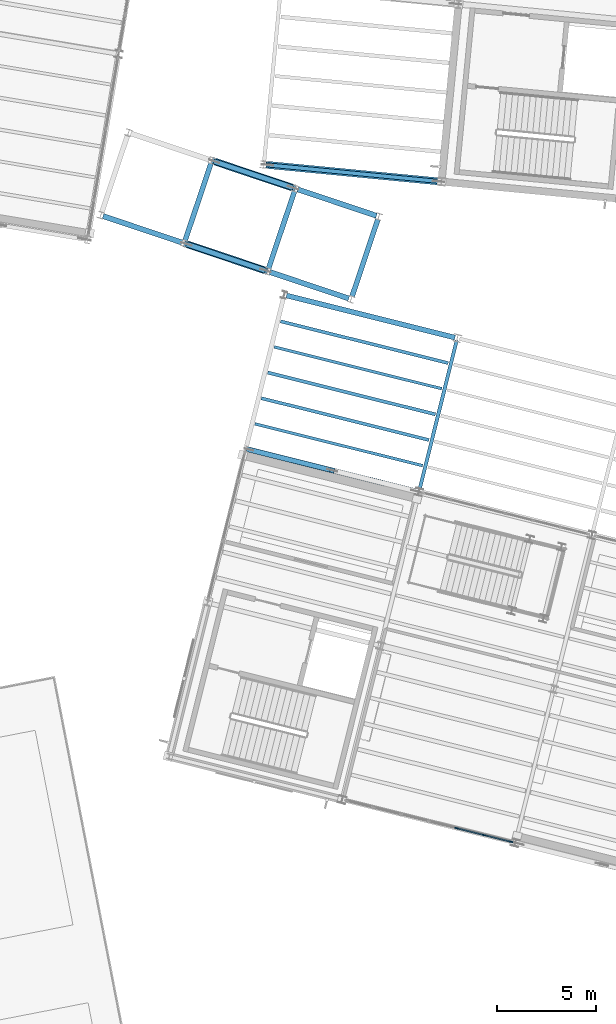
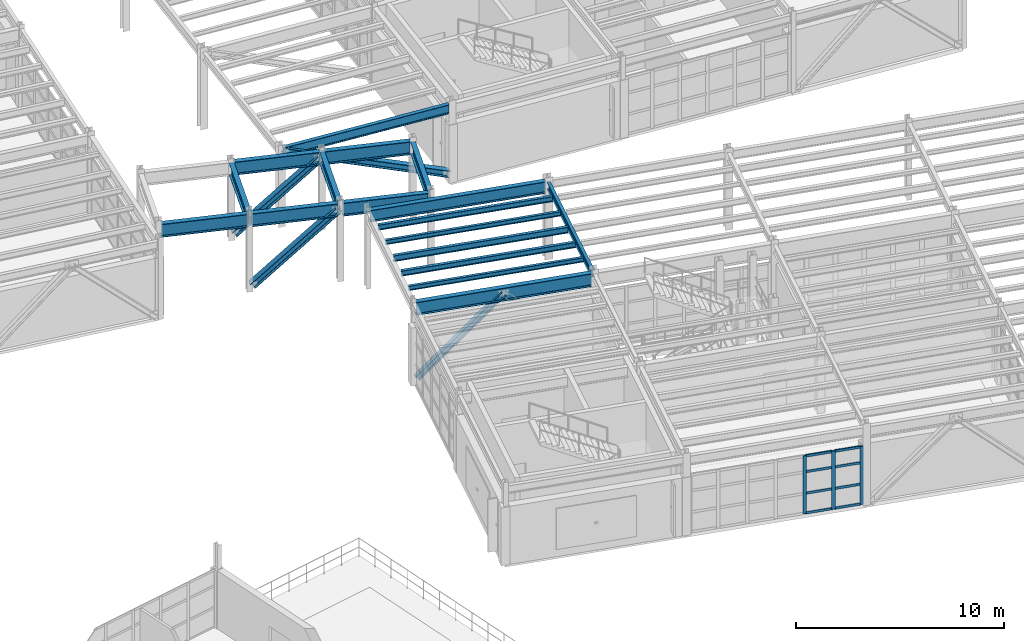
# One storey, part 31 of 109: 17 beams, 15 members, 1 element without a shape of its own.
"""IFC4 building model written with IfcOpenShell, lengths in metres."""

from ifc_helpers import new_model, si_unit, direction, frame, origin, origin_2d, place, context, subcontext, project, spatial, rectangle, i_section, extrude, material, layer, layer_set, material_profile, profile_set, type_object, element, aggregate, save


model = new_model("IFC4")

# Units and contexts
model_context = context("Model", 3, precision=1e-05, world=origin(), true_north=direction((0.0, 1.0)))
body_context = subcontext(model_context, "Body", "Model", "MODEL_VIEW")
ifc_project = project(units=[si_unit("LENGTHUNIT", "METRE"), si_unit("AREAUNIT", "SQUARE_METRE"), si_unit("VOLUMEUNIT", "CUBIC_METRE"), si_unit("PLANEANGLEUNIT", "RADIAN"), si_unit("MASSUNIT", "GRAM", prefix="KILO")], contexts=[model_context])

# Site, building, storey
site_placement = place(None, origin())
site = spatial("IfcSite", under=ifc_project, at=site_placement, CompositionType="ELEMENT")
building_placement = place(site_placement, origin())
building = spatial("IfcBuilding", under=site, at=building_placement, Name="Vireo Bluff Cable Station", CompositionType="ELEMENT")
storey_placement = place(building_placement, frame((0.0, 0.0, 4.800048828125)))
storey = spatial("IfcBuildingStorey", under=building, at=storey_placement, Name="L01", CompositionType="ELEMENT", Elevation=4.800048828125)

# Beam
ifc_material_1 = material(Name="Steel ASTM A992 Gr. 50", Category="steel")
ifc_material_profile_1 = material_profile(ifc_material_1, i_section(OverallWidth=0.178955078125, OverallDepth=0.408935546875, WebThickness=0.0087890625, FlangeThickness=0.014404296875, FilletRadius=0.010009765625, at=origin_2d()), Name="W16X45")
ifc_profile_set_1 = profile_set([ifc_material_profile_1], Name="Steel ASTM A992 Gr. 50")
beam_type_1 = type_object("IfcBeamType", Name="BM-W16X45", PredefinedType="BEAM", material=ifc_profile_set_1)
beam_1_placement = place(storey_placement, frame((66.63232421875, 51.4638671875, 4.33544921875), z_axis=(0.241935966891, 0.970292217801, 0.0), x_axis=(-0.970292217801, 0.241935966891, 0.0)))
element("IfcBeam", 1, at=beam_1_placement, inside=storey, type_object=beam_type_1, Name="V1 L01 beam 65", PredefinedType="BEAM", context=body_context, shape_type="SweptSolid", body=[
    extrude(i_section(OverallWidth=0.178955078125, OverallDepth=0.408935546875, WebThickness=0.0087890625, FlangeThickness=0.014404296875, FilletRadius=0.010009765625, at=origin_2d()), origin(), (0.0, 0.0, 1.0), 7.760009765625),
])

# Member
ifc_material_profile_2 = material_profile(ifc_material_1, i_section(OverallWidth=0.25390625, OverallDepth=0.305908203125, WebThickness=0.0087890625, FlangeThickness=0.0146484375, FilletRadius=0.010986328125, at=origin_2d()), Name="W12X53")
ifc_profile_set_2 = profile_set([ifc_material_profile_2], Name="Steel ASTM A992 Gr. 50")
member_type_1 = type_object("IfcMemberType", Name="BRC-04", PredefinedType="BRACE", material=ifc_profile_set_2)
member_1_placement = place(storey_placement, frame((58.02587890625, 53.486083984375, 0.0400390625), z_axis=(0.702103885307, -0.175068050943, 0.690218307331), x_axis=(0.241939969626, 0.970291219736, 0.0)))
element("IfcMember", 2, at=member_1_placement, inside=storey, type_object=member_type_1, Name="V1 L01 concentric brace 3L", PredefinedType="BRACE", context=body_context, shape_type="SweptSolid", body=[
    extrude(i_section(OverallWidth=0.25390625, OverallDepth=0.305908203125, WebThickness=0.0087890625, FlangeThickness=0.0146484375, FilletRadius=0.010986328125, at=origin_2d()), origin(), (0.0, 0.0, 1.0), 5.998046875),
])

# Curtain wall, members
ifc_material_2 = material(Name="Anodized Aluminium 6063-T6", Category="aluminium")
ifc_layer = layer(ifc_material_2, 0.179931640625, Name="Anodized Aluminium 6063-T6")
ifc_layer_set = layer_set([ifc_layer], Name="Anodized Aluminium 6063-T6")
curtain_wall_type = type_object("IfcCurtainWallType", Name="CW-UNIT-1500", PredefinedType="USERDEFINED", material=ifc_layer_set)
curtain_wall_placement = place(storey_placement, origin())
curtain_wall = element("IfcCurtainWall", 3, at=curtain_wall_placement, inside=storey, type_object=curtain_wall_type, Name="V1 L01 south curtain wall CW-004", ObjectType="UNITISED CURTAIN WALL", PredefinedType="USERDEFINED")
ifc_material_profile_3 = material_profile(ifc_material_2, rectangle(XDim=0.06494140625, YDim=0.179931640625, at=origin_2d()), Name="ALU-M-65X180")
ifc_profile_set_3 = profile_set([ifc_material_profile_3], Name="Anodized Aluminium 6063-T6")
member_type_2 = type_object("IfcMemberType", Name="CWM-01", PredefinedType="MULLION", material=ifc_profile_set_3)
member_2_placement = place(storey_placement, frame((71.25244140625, 33.698486328125, 0.0), z_axis=(0.0, 0.0, 1.0), x_axis=(-0.241921973348, -0.970295706891, 0.0)))
member_2 = element("IfcMember", 4, at=member_2_placement, type_object=member_type_2, Name="CW-004 mullion 1", PredefinedType="MULLION", context=body_context, shape_type="SweptSolid", body=[
    extrude(rectangle(XDim=0.06494140625, YDim=0.179931640625, at=origin_2d()), origin(), (0.0, 0.0, 1.0), 3.39990234375),
])
member_3_placement = place(storey_placement, frame((69.888916015625, 34.038330078125, 0.0), z_axis=(0.0, 0.0, 1.0), x_axis=(-0.241921973348, -0.970295706891, 0.0)))
member_3 = element("IfcMember", 5, at=member_3_placement, type_object=member_type_2, Name="CW-004 mullion 2", PredefinedType="MULLION", context=body_context, shape_type="SweptSolid", body=[
    extrude(rectangle(XDim=0.06494140625, YDim=0.179931640625, at=origin_2d()), origin(), (0.0, 0.0, 1.0), 3.39990234375),
])
member_4_placement = place(storey_placement, frame((68.493896484375, 34.38623046875, 0.0), z_axis=(0.0, 0.0, 1.0), x_axis=(-0.241921973348, -0.970295706891, 0.0)))
member_4 = element("IfcMember", 6, at=member_4_placement, type_object=member_type_2, Name="CW-004 mullion 3", PredefinedType="MULLION", context=body_context, shape_type="SweptSolid", body=[
    extrude(rectangle(XDim=0.06494140625, YDim=0.179931640625, at=origin_2d()), origin(), (0.0, 0.0, 1.0), 3.39990234375),
])
ifc_material_profile_4 = material_profile(ifc_material_2, rectangle(XDim=0.06494140625, YDim=0.139892578125, at=origin_2d()), Name="ALU-T-65X140")
ifc_profile_set_4 = profile_set([ifc_material_profile_4], Name="Anodized Aluminium 6063-T6")
member_type_3 = type_object("IfcMemberType", Name="CWT-01", PredefinedType="USERDEFINED", material=ifc_profile_set_4)
member_5_placement = place(storey_placement, frame((71.220703125, 33.706298828125, 0.032470703125), z_axis=(-0.970292345375, 0.241935455249, 0.0), x_axis=(-0.241935455249, -0.970292345375, 0.0)))
member_5 = element("IfcMember", 7, at=member_5_placement, type_object=member_type_3, Name="CW-004 transom 1.1", ObjectType="TRANSOM", PredefinedType="USERDEFINED", context=body_context, shape_type="SweptSolid", body=[
    extrude(rectangle(XDim=0.06494140625, YDim=0.139892578125, at=origin_2d()), origin(), (0.0, 0.0, 1.0), 1.340087890625),
])
member_6_placement = place(storey_placement, frame((71.220703125, 33.706298828125, 1.18994140625), z_axis=(-0.970292345375, 0.241935455249, 0.0), x_axis=(-0.241935455249, -0.970292345375, 0.0)))
member_6 = element("IfcMember", 8, at=member_6_placement, type_object=member_type_3, Name="CW-004 transom 1.2", ObjectType="TRANSOM", PredefinedType="USERDEFINED", context=body_context, shape_type="SweptSolid", body=[
    extrude(rectangle(XDim=0.06494140625, YDim=0.139892578125, at=origin_2d()), origin(), (0.0, 0.0, 1.0), 1.340087890625),
])
member_7_placement = place(storey_placement, frame((71.220703125, 33.706298828125, 2.447998046875), z_axis=(-0.970292345375, 0.241935455249, 0.0), x_axis=(-0.241935455249, -0.970292345375, 0.0)))
member_7 = element("IfcMember", 9, at=member_7_placement, type_object=member_type_3, Name="CW-004 transom 1.3", ObjectType="TRANSOM", PredefinedType="USERDEFINED", context=body_context, shape_type="SweptSolid", body=[
    extrude(rectangle(XDim=0.06494140625, YDim=0.139892578125, at=origin_2d()), origin(), (0.0, 0.0, 1.0), 1.340087890625),
])
member_8_placement = place(storey_placement, frame((71.220703125, 33.706298828125, 3.367431640625), z_axis=(-0.970292345375, 0.241935455249, 0.0), x_axis=(-0.241935455249, -0.970292345375, 0.0)))
member_8 = element("IfcMember", 10, at=member_8_placement, type_object=member_type_3, Name="CW-004 transom 1.4", ObjectType="TRANSOM", PredefinedType="USERDEFINED", context=body_context, shape_type="SweptSolid", body=[
    extrude(rectangle(XDim=0.06494140625, YDim=0.139892578125, at=origin_2d()), origin(), (0.0, 0.0, 1.0), 1.340087890625),
])
member_9_placement = place(storey_placement, frame((69.857421875, 34.04638671875, 0.032470703125), z_axis=(-0.970309650459, 0.241866041903, 0.0), x_axis=(-0.241866041903, -0.970309650459, 0.0)))
member_9 = element("IfcMember", 11, at=member_9_placement, type_object=member_type_3, Name="CW-004 transom 2.1", ObjectType="TRANSOM", PredefinedType="USERDEFINED", context=body_context, shape_type="SweptSolid", body=[
    extrude(rectangle(XDim=0.06494140625, YDim=0.139892578125, at=origin_2d()), origin(), (0.0, 0.0, 1.0), 1.372802734375),
])
member_10_placement = place(storey_placement, frame((69.857421875, 34.04638671875, 1.18994140625), z_axis=(-0.970309650459, 0.241866041903, 0.0), x_axis=(-0.241866041903, -0.970309650459, 0.0)))
member_10 = element("IfcMember", 12, at=member_10_placement, type_object=member_type_3, Name="CW-004 transom 2.2", ObjectType="TRANSOM", PredefinedType="USERDEFINED", context=body_context, shape_type="SweptSolid", body=[
    extrude(rectangle(XDim=0.06494140625, YDim=0.139892578125, at=origin_2d()), origin(), (0.0, 0.0, 1.0), 1.372802734375),
])
member_11_placement = place(storey_placement, frame((69.857421875, 34.04638671875, 2.447998046875), z_axis=(-0.970309650459, 0.241866041903, 0.0), x_axis=(-0.241866041903, -0.970309650459, 0.0)))
member_11 = element("IfcMember", 13, at=member_11_placement, type_object=member_type_3, Name="CW-004 transom 2.3", ObjectType="TRANSOM", PredefinedType="USERDEFINED", context=body_context, shape_type="SweptSolid", body=[
    extrude(rectangle(XDim=0.06494140625, YDim=0.139892578125, at=origin_2d()), origin(), (0.0, 0.0, 1.0), 1.372802734375),
])
member_12_placement = place(storey_placement, frame((69.857421875, 34.04638671875, 3.367431640625), z_axis=(-0.970309650459, 0.241866041903, 0.0), x_axis=(-0.241866041903, -0.970309650459, 0.0)))
member_12 = element("IfcMember", 14, at=member_12_placement, type_object=member_type_3, Name="CW-004 transom 2.4", ObjectType="TRANSOM", PredefinedType="USERDEFINED", context=body_context, shape_type="SweptSolid", body=[
    extrude(rectangle(XDim=0.06494140625, YDim=0.139892578125, at=origin_2d()), origin(), (0.0, 0.0, 1.0), 1.372802734375),
])
aggregate(curtain_wall, [member_2, member_3, member_4, member_5, member_6, member_7, member_8, member_9, member_10, member_11, member_12])

# Beams
ifc_material_profile_5 = material_profile(ifc_material_1, i_section(OverallWidth=0.257080078125, OverallDepth=0.693115234375, WebThickness=0.014404296875, FlangeThickness=0.023681640625, FilletRadius=0.014892578125, at=origin_2d()), Name="W27X114")
ifc_profile_set_5 = profile_set([ifc_material_profile_5], Name="Steel ASTM A992 Gr. 50")
beam_type_2 = type_object("IfcBeamType", Name="EXTGIR-W27X114", PredefinedType="USERDEFINED", material=ifc_profile_set_5)
for number, where, z_axis, x_axis, name in (
    (15, (54.801513671875, 64.0205078125, 4.195068359375), (0.317980338391, 0.948097307451, 0.0), (-0.948097307451, 0.317980338391, 0.0), "CABIN-TRANSFER skybridge bent cap 2 L01"),
    (16, (59.012451171875, 62.608154296875, 4.195068359375), (0.31792727789, 0.948115101648, 0.0), (-0.948115101648, 0.31792727789, 0.0), "CABIN-TRANSFER skybridge bent cap 3 L01"),
    (17, (63.221923828125, 61.196533203125, 4.195068359375), (0.317980338391, 0.948097307451, 0.0), (-0.948097307451, 0.317980338391, 0.0), "CABIN-TRANSFER skybridge bent cap 4 L01"),
):
    element("IfcBeam", number, at=place(storey_placement, frame(where, z_axis=z_axis, x_axis=x_axis)), inside=storey, type_object=beam_type_2, Name=name, ObjectType="GIRDER", PredefinedType="USERDEFINED", context=body_context, shape_type="SweptSolid", body=[
        extrude(i_section(OverallWidth=0.257080078125, OverallDepth=0.693115234375, WebThickness=0.014404296875, FlangeThickness=0.023681640625, FilletRadius=0.014892578125, at=origin_2d()), origin(), (0.0, 0.0, 1.0), 4.135986328125),
    ])
ifc_material_profile_6 = material_profile(ifc_material_1, i_section(OverallWidth=0.26708984375, OverallDepth=0.77001953125, WebThickness=0.015625, FlangeThickness=0.025390625, FilletRadius=0.01611328125, at=origin_2d()), Name="W30X132")
ifc_profile_set_6 = profile_set([ifc_material_profile_6], Name="Steel ASTM A992 Gr. 50")
beam_type_3 = type_object("IfcBeamType", Name="EXTGIR-W30X132", PredefinedType="USERDEFINED", material=ifc_profile_set_6)
beam_2_placement = place(storey_placement, frame((50.663818359375, 65.268798828125, 4.159912109375), z_axis=(0.948100395144, -0.317971131909, 0.0), x_axis=(0.317971131909, 0.948100395144, 0.0)))
element("IfcBeam", 18, at=beam_2_placement, inside=storey, type_object=beam_type_3, Name="CABIN-TRANSFER skybridge floor girder 1L", ObjectType="GIRDER", PredefinedType="USERDEFINED", context=body_context, shape_type="SweptSolid", body=[
    extrude(i_section(OverallWidth=0.26708984375, OverallDepth=0.77001953125, WebThickness=0.015625, FlangeThickness=0.025390625, FilletRadius=0.01611328125, at=origin_2d()), origin(), (0.0, 0.0, 1.0), 4.199951171875),
])
beam_3_placement = place(storey_placement, frame((54.873291015625, 63.857177734375, 4.159912109375), z_axis=(0.948100609956, -0.3179704914, 0.0), x_axis=(0.3179704914, 0.948100609956, 0.0)))
element("IfcBeam", 19, at=beam_3_placement, inside=storey, type_object=beam_type_3, Name="CABIN-TRANSFER skybridge floor girder 2L", ObjectType="GIRDER", PredefinedType="USERDEFINED", context=body_context, shape_type="SweptSolid", body=[
    extrude(i_section(OverallWidth=0.26708984375, OverallDepth=0.77001953125, WebThickness=0.015625, FlangeThickness=0.025390625, FilletRadius=0.01611328125, at=origin_2d()), origin(), (0.0, 0.0, 1.0), 4.201416015625),
])
beam_4_placement = place(storey_placement, frame((56.2724609375, 68.02880859375, 4.159912109375), z_axis=(0.948094734383, -0.317988010208, 0.0), x_axis=(0.317988010208, 0.948094734383, 0.0)))
element("IfcBeam", 20, at=beam_4_placement, inside=storey, type_object=beam_type_3, Name="CABIN-TRANSFER skybridge floor girder 2R", ObjectType="GIRDER", PredefinedType="USERDEFINED", context=body_context, shape_type="SweptSolid", body=[
    extrude(i_section(OverallWidth=0.26708984375, OverallDepth=0.77001953125, WebThickness=0.015625, FlangeThickness=0.025390625, FilletRadius=0.01611328125, at=origin_2d()), origin(), (0.0, 0.0, 1.0), 4.201171875),
])
beam_5_placement = place(storey_placement, frame((59.084228515625, 62.44482421875, 4.159912109375), z_axis=(0.948117918397, -0.317918877726, 0.0), x_axis=(0.317918877726, 0.948117918397, 0.0)))
element("IfcBeam", 21, at=beam_5_placement, inside=storey, type_object=beam_type_3, Name="CABIN-TRANSFER skybridge floor girder 3L", ObjectType="GIRDER", PredefinedType="USERDEFINED", context=body_context, shape_type="SweptSolid", body=[
    extrude(i_section(OverallWidth=0.26708984375, OverallDepth=0.77001953125, WebThickness=0.015625, FlangeThickness=0.025390625, FilletRadius=0.01611328125, at=origin_2d()), origin(), (0.0, 0.0, 1.0), 4.199951171875),
])
beam_6_placement = place(storey_placement, frame((60.4833984375, 66.61669921875, 4.159912109375), z_axis=(0.948094517387, -0.31798865719, 0.0), x_axis=(0.31798865719, 0.948094517387, 0.0)))
element("IfcBeam", 22, at=beam_6_placement, inside=storey, type_object=beam_type_3, Name="CABIN-TRANSFER skybridge floor girder 3R", ObjectType="GIRDER", PredefinedType="USERDEFINED", context=body_context, shape_type="SweptSolid", body=[
    extrude(i_section(OverallWidth=0.26708984375, OverallDepth=0.77001953125, WebThickness=0.015625, FlangeThickness=0.025390625, FilletRadius=0.01611328125, at=origin_2d()), origin(), (0.0, 0.0, 1.0), 4.19970703125),
])
ifc_material_profile_7 = material_profile(ifc_material_1, i_section(OverallWidth=0.26708984375, OverallDepth=0.77001953125, WebThickness=0.015625, FlangeThickness=0.025390625, FilletRadius=0.01611328125, at=origin_2d()), Name="W30X132")
ifc_profile_set_7 = profile_set([ifc_material_profile_7], Name="Steel ASTM A992 Gr. 50")
beam_type_4 = type_object("IfcBeamType", Name="GIR-W30X132", PredefinedType="USERDEFINED", material=ifc_profile_set_7)
beam_7_placement = place(storey_placement, frame((57.9873046875, 53.49560546875, 4.155029296875), z_axis=(0.970298044881, -0.241912595995, 0.0), x_axis=(0.241912595995, 0.970298044881, 0.0)))
element("IfcBeam", 23, at=beam_7_placement, inside=storey, type_object=beam_type_4, Name="V1 L01 girder 50", ObjectType="GIRDER", PredefinedType="USERDEFINED", context=body_context, shape_type="SweptSolid", body=[
    extrude(i_section(OverallWidth=0.26708984375, OverallDepth=0.77001953125, WebThickness=0.015625, FlangeThickness=0.025390625, FilletRadius=0.01611328125, at=origin_2d()), origin(), (0.0, 0.0, 1.0), 8.760009765625),
])
ifc_material_profile_8 = material_profile(ifc_material_1, i_section(OverallWidth=0.14599609375, OverallDepth=0.259033203125, WebThickness=0.006103515625, FlangeThickness=0.009033203125, FilletRadius=0.009033203125, at=origin_2d()), Name="W10X22")
ifc_profile_set_8 = profile_set([ifc_material_profile_8], Name="Steel ASTM A992 Gr. 50")
beam_type_5 = type_object("IfcBeamType", Name="JST-W10X22", PredefinedType="JOIST", material=ifc_profile_set_8)
for number, where, z_axis, x_axis, name in (
    (24, (58.3291015625, 54.78466796875, 4.410400390625), (0.970293828661, -0.24192950639, 0.0), (0.24192950639, 0.970293828661, 0.0), "V1 L01 composite joist 83"),
    (25, (59.296875, 58.665771484375, 4.410400390625), (0.970293828661, -0.24192950639, 0.0), (0.24192950639, 0.970293828661, 0.0), "V1 L01 composite joist 86"),
):
    element("IfcBeam", number, at=place(storey_placement, frame(where, z_axis=z_axis, x_axis=x_axis)), inside=storey, type_object=beam_type_5, Name=name, PredefinedType="JOIST", context=body_context, shape_type="SweptSolid", body=[
        extrude(i_section(OverallWidth=0.14599609375, OverallDepth=0.259033203125, WebThickness=0.006103515625, FlangeThickness=0.009033203125, FilletRadius=0.009033203125, at=origin_2d()), origin(), (0.0, 0.0, 1.0), 8.719970703125),
    ])
ifc_material_profile_9 = material_profile(ifc_material_1, i_section(OverallWidth=0.1650390625, OverallDepth=0.31005859375, WebThickness=0.005859375, FlangeThickness=0.009765625, FilletRadius=0.010009765625, at=origin_2d()), Name="W12X26")
ifc_profile_set_9 = profile_set([ifc_material_profile_9], Name="Steel ASTM A992 Gr. 50")
beam_type_6 = type_object("IfcBeamType", Name="JST-W12X26", PredefinedType="JOIST", material=ifc_profile_set_9)
beam_8_placement = place(storey_placement, frame((58.651611328125, 56.078369140625, 4.385009765625), z_axis=(0.970295467306, -0.24192293427, 0.0), x_axis=(0.24192293427, 0.970295467306, 0.0)))
element("IfcBeam", 26, at=beam_8_placement, inside=storey, type_object=beam_type_6, Name="V1 L01 composite joist 84", PredefinedType="JOIST", context=body_context, shape_type="SweptSolid", body=[
    extrude(i_section(OverallWidth=0.1650390625, OverallDepth=0.31005859375, WebThickness=0.005859375, FlangeThickness=0.009765625, FilletRadius=0.010009765625, at=origin_2d()), origin(), (0.0, 0.0, 1.0), 8.72021484375),
])
beam_9_placement = place(storey_placement, frame((59.619384765625, 59.95947265625, 4.385009765625), z_axis=(0.970293828661, -0.24192950639, 0.0), x_axis=(0.24192950639, 0.970293828661, 0.0)))
element("IfcBeam", 27, at=beam_9_placement, inside=storey, type_object=beam_type_6, Name="V1 L01 composite joist 87", PredefinedType="JOIST", context=body_context, shape_type="SweptSolid", body=[
    extrude(i_section(OverallWidth=0.1650390625, OverallDepth=0.31005859375, WebThickness=0.005859375, FlangeThickness=0.009765625, FilletRadius=0.010009765625, at=origin_2d()), origin(), (0.0, 0.0, 1.0), 8.719970703125),
])
ifc_material_profile_10 = material_profile(ifc_material_1, i_section(OverallWidth=0.1708984375, OverallDepth=0.35107421875, WebThickness=0.0068359375, FlangeThickness=0.009765625, FilletRadius=0.010009765625, at=origin_2d()), Name="W14X30")
ifc_profile_set_10 = profile_set([ifc_material_profile_10], Name="Steel ASTM A992 Gr. 50")
beam_type_7 = type_object("IfcBeamType", Name="JST-W14X30", PredefinedType="JOIST", material=ifc_profile_set_10)
beam_10_placement = place(storey_placement, frame((58.974365234375, 57.3720703125, 4.364501953125), z_axis=(0.970293828661, -0.24192950639, 0.0), x_axis=(0.24192950639, 0.970293828661, 0.0)))
element("IfcBeam", 28, at=beam_10_placement, inside=storey, type_object=beam_type_7, Name="V1 L01 composite joist 85", PredefinedType="JOIST", context=body_context, shape_type="SweptSolid", body=[
    extrude(i_section(OverallWidth=0.1708984375, OverallDepth=0.35107421875, WebThickness=0.0068359375, FlangeThickness=0.009765625, FilletRadius=0.010009765625, at=origin_2d()), origin(), (0.0, 0.0, 1.0), 8.719970703125),
])
ifc_material_profile_11 = material_profile(ifc_material_1, i_section(OverallWidth=0.2099609375, OverallDepth=0.535888671875, WebThickness=0.010986328125, FlangeThickness=0.017333984375, FilletRadius=0.012939453125, at=origin_2d()), Name="W21X68")
ifc_profile_set_11 = profile_set([ifc_material_profile_11], Name="Steel ASTM A992 Gr. 50")
beam_type_8 = type_object("IfcBeamType", Name="SPN-W21X68", PredefinedType="SPANDREL", material=ifc_profile_set_11)
beam_11_placement = place(storey_placement, frame((58.89892578125, 67.85498046875, 4.27197265625), z_axis=(0.995396356957, -0.095844105487, 0.0), x_axis=(0.095844105487, 0.995396356957, 0.0)))
element("IfcBeam", 29, at=beam_11_placement, inside=storey, type_object=beam_type_8, Name="V3 L01 spandrel 697", PredefinedType="SPANDREL", context=body_context, shape_type="SweptSolid", body=[
    extrude(i_section(OverallWidth=0.2099609375, OverallDepth=0.535888671875, WebThickness=0.010986328125, FlangeThickness=0.017333984375, FilletRadius=0.012939453125, at=origin_2d()), origin(), (0.0, 0.0, 1.0), 8.760009765625),
])
ifc_material_profile_12 = material_profile(ifc_material_1, i_section(OverallWidth=0.257080078125, OverallDepth=0.693115234375, WebThickness=0.014404296875, FlangeThickness=0.023681640625, FilletRadius=0.014892578125, at=origin_2d()), Name="W27X114")
ifc_profile_set_12 = profile_set([ifc_material_profile_12], Name="Steel ASTM A992 Gr. 50")
beam_type_9 = type_object("IfcBeamType", Name="SPN-W27X114", PredefinedType="SPANDREL", material=ifc_profile_set_12)
beam_12_placement = place(storey_placement, frame((59.922607421875, 61.258056640625, 4.193359375), z_axis=(0.970298044881, -0.241912595995, 0.0), x_axis=(0.241912595995, 0.970298044881, 0.0)))
element("IfcBeam", 30, at=beam_12_placement, inside=storey, type_object=beam_type_9, Name="V1 L01 spandrel 55", PredefinedType="SPANDREL", context=body_context, shape_type="SweptSolid", body=[
    extrude(i_section(OverallWidth=0.257080078125, OverallDepth=0.693115234375, WebThickness=0.014404296875, FlangeThickness=0.023681640625, FilletRadius=0.014892578125, at=origin_2d()), origin(), (0.0, 0.0, 1.0), 8.760009765625),
])

# Members
ifc_material_profile_13 = material_profile(ifc_material_1, i_section(OverallWidth=0.367919921875, OverallDepth=0.35595703125, WebThickness=0.01123046875, FlangeThickness=0.01806640625, FilletRadius=0.014892578125, at=origin_2d()), Name="W14X90")
ifc_profile_set_13 = profile_set([ifc_material_profile_13], Name="Steel ASTM A992 Gr. 50")
member_type_4 = type_object("IfcMemberType", Name="STR-01", PredefinedType="STRUT", material=ifc_profile_set_13)
for number, where, z_axis, x_axis, name in (
    (31, (54.873291015625, 63.857177734375, 0.300048828125), (0.699018660611, -0.234434304417, 0.675583798674), (0.3179704914, 0.948100609956, 0.0), "CABIN-TRANSFER skybridge under-deck strut 2L"),
    (32, (56.2724609375, 68.02880859375, 0.300048828125), (0.698996751119, -0.234441325291, 0.675604031161), (0.317988010208, 0.948094734383, 0.0), "CABIN-TRANSFER skybridge under-deck strut 2R"),
):
    element("IfcMember", number, at=place(storey_placement, frame(where, z_axis=z_axis, x_axis=x_axis)), inside=storey, type_object=member_type_4, Name=name, PredefinedType="STRUT", context=body_context, shape_type="SweptSolid", body=[
        extrude(i_section(OverallWidth=0.367919921875, OverallDepth=0.35595703125, WebThickness=0.01123046875, FlangeThickness=0.01806640625, FilletRadius=0.014892578125, at=origin_2d()), origin(), (0.0, 0.0, 1.0), 5.698486328125),
    ])
ifc_material_profile_14 = material_profile(ifc_material_1, i_section(OverallWidth=0.37109375, OverallDepth=0.363037109375, WebThickness=0.01318359375, FlangeThickness=0.021728515625, FilletRadius=0.014892578125, at=origin_2d()), Name="W14X109")
ifc_profile_set_14 = profile_set([ifc_material_profile_14], Name="Steel ASTM A992 Gr. 50")
member_type_5 = type_object("IfcMemberType", Name="STR-03", PredefinedType="STRUT", material=ifc_profile_set_14)
member_13_placement = place(storey_placement, frame((67.5888671875, 67.018310546875, 0.5), z_axis=(-0.909742212238, 0.087579641524, 0.405831139347), x_axis=(-0.095825620499, -0.995398136655, 0.0)))
element("IfcMember", 33, at=member_13_placement, inside=storey, type_object=member_type_5, Name="V3 viewing terrace raking strut 1", PredefinedType="STRUT", context=body_context, shape_type="SweptSolid", body=[
    extrude(i_section(OverallWidth=0.37109375, OverallDepth=0.363037109375, WebThickness=0.01318359375, FlangeThickness=0.021728515625, FilletRadius=0.014892578125, at=origin_2d()), origin(), (0.0, 0.0, 1.0), 9.486328125),
])

save(model, "model.ifc")
